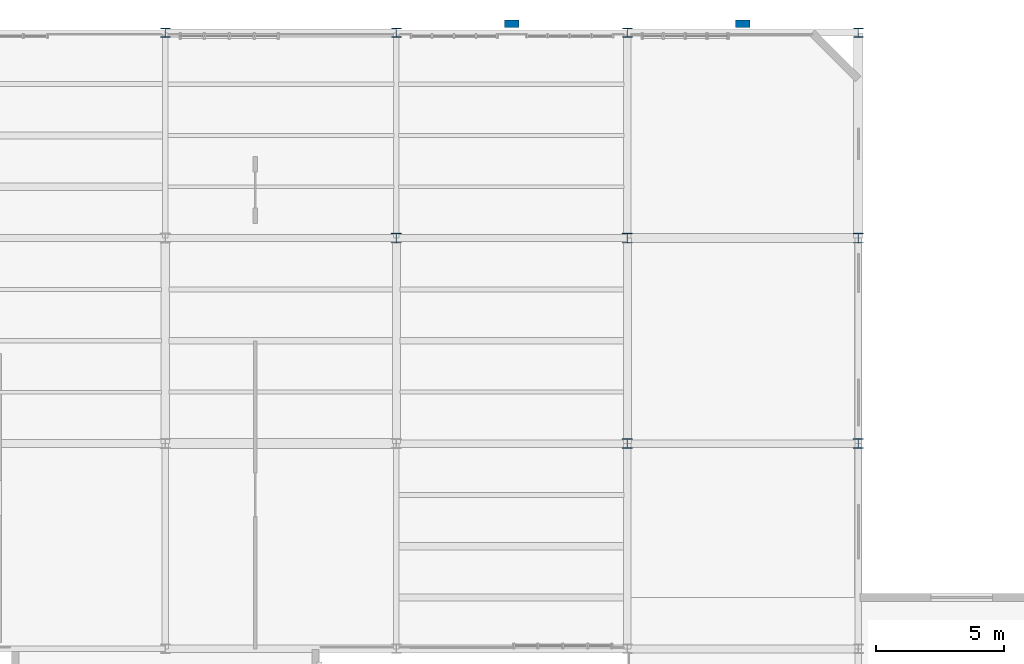
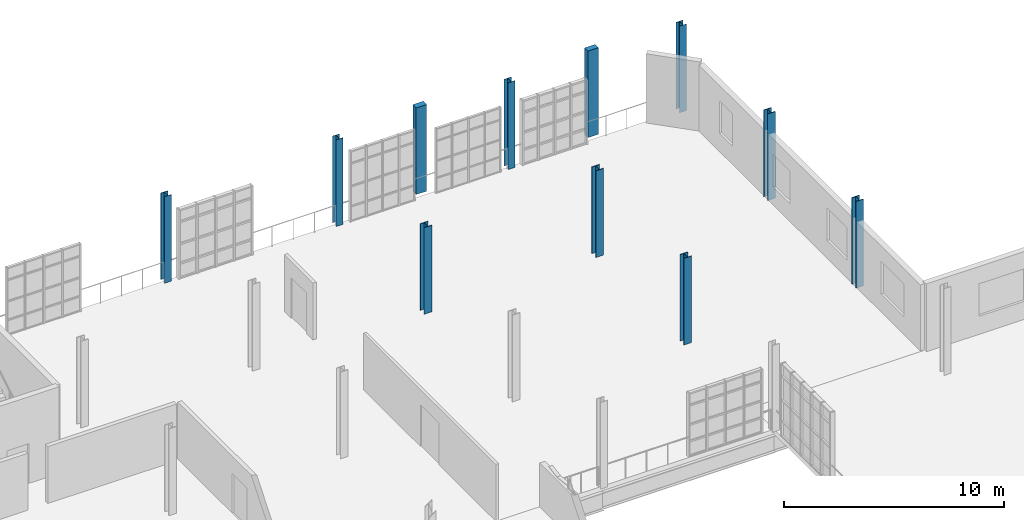
# One storey, part 7 of 118: 11 columns.
"""IFC4 building model written with IfcOpenShell, lengths in metres."""

from ifc_helpers import new_model, si_unit, direction, frame, origin, origin_2d, place, context, subcontext, project, spatial, rectangle, i_section, extrude, material, material_profile, profile_set, type_object, element, save


model = new_model("IFC4")

# Units and contexts
model_context = context("Model", 3, precision=1e-05, world=origin(), true_north=direction((0.0, 1.0)))
body_context = subcontext(model_context, "Body", "Model", "MODEL_VIEW")
ifc_project = project(units=[si_unit("LENGTHUNIT", "METRE"), si_unit("AREAUNIT", "SQUARE_METRE"), si_unit("VOLUMEUNIT", "CUBIC_METRE"), si_unit("PLANEANGLEUNIT", "RADIAN"), si_unit("MASSUNIT", "GRAM", prefix="KILO"), si_unit("THERMODYNAMICTEMPERATUREUNIT", "KELVIN"), si_unit("POWERUNIT", "WATT")], contexts=[model_context])

# Site, building, storey
site_placement = place(None, origin())
site = spatial("IfcSite", under=ifc_project, at=site_placement, CompositionType="ELEMENT")
building_placement = place(site_placement, origin())
building = spatial("IfcBuilding", under=site, at=building_placement, Name="Zelmaris Science Centre", CompositionType="ELEMENT")
storey_placement = place(building_placement, frame((0.0, 0.0, 15.60009765625)))
storey = spatial("IfcBuildingStorey", under=building, at=storey_placement, Name="L03", CompositionType="ELEMENT", Elevation=15.60009765625)

# Columns
ifc_material_1 = material(Name="Steel ASTM A992 Grade 50", Category="steel")
ifc_material_profile_1 = material_profile(ifc_material_1, i_section(OverallWidth=0.39892578125, OverallDepth=0.385986328125, WebThickness=0.02099609375, FlangeThickness=0.033203125, FilletRadius=0.014892578125, at=origin_2d()), Name="W14X176")
ifc_profile_set_1 = profile_set([ifc_material_profile_1], Name="Steel ASTM A992 Grade 50")
column_type_1 = type_object("IfcColumnType", Name="Column C-04 W14X176", PredefinedType="COLUMN", material=ifc_profile_set_1)
for number, where, z_axis, x_axis, name in (
    (1, (90.0, 80.0, 0.0), (0.0, 0.0, 1.0), (1.0, 0.0, 0.0), "Column V5-C-90-80 L03"),
    (2, (99.0, 72.0, 0.0), (0.0, 0.0, 1.0), (1.0, 0.0, 0.0), "Column V5-C-99-72 L03"),
    (3, (99.0, 80.0, 0.0), (0.0, 0.0, 1.0), (1.0, 0.0, 0.0), "Column V5-C-99-80 L03"),
    (4, (108.0, 72.0, 0.0), (0.0, 0.0, 1.0), (1.0, 0.0, 0.0), "Column V5-C-108-72 L03"),
    (5, (108.0, 80.0, 0.0), (0.0, 0.0, 1.0), (1.0, 0.0, 0.0), "Column V5-C-108-80 L03"),
):
    element("IfcColumn", number, at=place(storey_placement, frame(where, z_axis=z_axis, x_axis=x_axis)), inside=storey, type_object=column_type_1, Name=name, PredefinedType="COLUMN", context=body_context, shape_type="SweptSolid", body=[
        extrude(i_section(OverallWidth=0.39892578125, OverallDepth=0.385986328125, WebThickness=0.02099609375, FlangeThickness=0.033203125, FilletRadius=0.014892578125, at=origin_2d()), origin(), (0.0, 0.0, 1.0), 4.7998046875),
    ])
ifc_material_profile_2 = material_profile(ifc_material_1, i_section(OverallWidth=0.367919921875, OverallDepth=0.35595703125, WebThickness=0.01123046875, FlangeThickness=0.01806640625, FilletRadius=0.014892578125, at=origin_2d()), Name="W14X90")
ifc_profile_set_2 = profile_set([ifc_material_profile_2], Name="Steel ASTM A992 Grade 50")
column_type_2 = type_object("IfcColumnType", Name="Column C-07 W14X90", PredefinedType="COLUMN", material=ifc_profile_set_2)
for number, where, z_axis, x_axis, name in (
    (6, (81.0, 88.0, 0.0), (0.0, 0.0, 1.0), (1.0, 0.0, 0.0), "Column V5-C-81-88 L03"),
    (7, (90.0, 88.0, 0.0), (0.0, 0.0, 1.0), (1.0, 0.0, 0.0), "Column V5-C-90-88 L03"),
    (8, (99.0, 88.0, 0.0), (0.0, 0.0, 1.0), (1.0, 0.0, 0.0), "Column V5-C-99-88 L03"),
    (9, (108.0, 88.0, 0.0), (0.0, 0.0, 1.0), (1.0, 0.0, 0.0), "Column V5-C-108-88 L03"),
):
    element("IfcColumn", number, at=place(storey_placement, frame(where, z_axis=z_axis, x_axis=x_axis)), inside=storey, type_object=column_type_2, Name=name, PredefinedType="COLUMN", context=body_context, shape_type="SweptSolid", body=[
        extrude(i_section(OverallWidth=0.367919921875, OverallDepth=0.35595703125, WebThickness=0.01123046875, FlangeThickness=0.01806640625, FilletRadius=0.014892578125, at=origin_2d()), origin(), (0.0, 0.0, 1.0), 4.7998046875),
    ])
ifc_material_2 = material(Name="Yucatan limestone ashlar masonry", Category="masonry")
ifc_material_profile_3 = material_profile(ifc_material_2, rectangle(XDim=0.550048828125, YDim=0.300048828125, at=origin_2d()), Name="PIL-LIM-550X300")
ifc_profile_set_3 = profile_set([ifc_material_profile_3], Name="Yucatan limestone ashlar masonry")
column_type_3 = type_object("IfcColumnType", Name="Pilaster PL-03 PIL-LIM-550X300", PredefinedType="PILASTER", material=ifc_profile_set_3)
for number, where, z_axis, x_axis, name in (
    (10, (94.5, 88.35009765625, 0.0), (0.0, 0.0, 1.0), (1.0, 0.0, 0.0), "Limestone pilaster PIL-V5N-2 L03"),
    (11, (103.5, 88.35009765625, 0.0), (0.0, 0.0, 1.0), (1.0, 0.0, 0.0), "Limestone pilaster PIL-V5N-3 L03"),
):
    element("IfcColumn", number, at=place(storey_placement, frame(where, z_axis=z_axis, x_axis=x_axis)), inside=storey, type_object=column_type_3, Name=name, PredefinedType="PILASTER", context=body_context, shape_type="SweptSolid", body=[
        extrude(rectangle(XDim=0.550048828125, YDim=0.300048828125, at=origin_2d()), origin(), (0.0, 0.0, 1.0), 4.7998046875),
    ])

save(model, "model.ifc")
